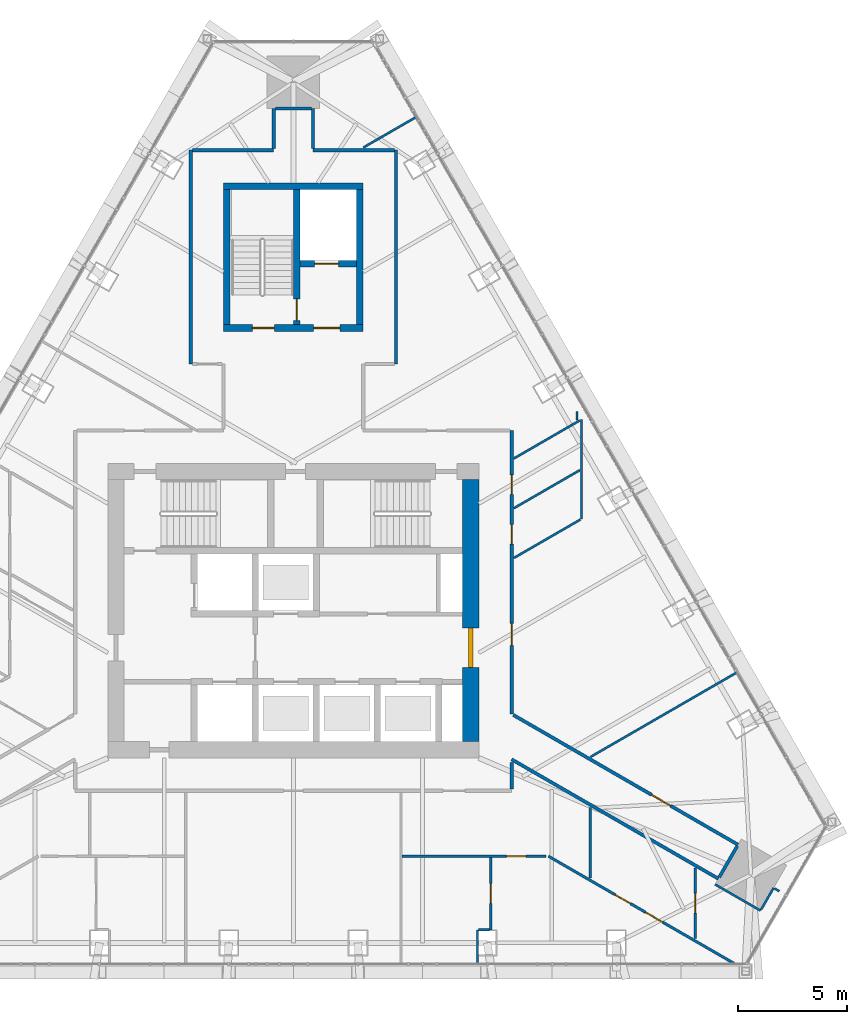
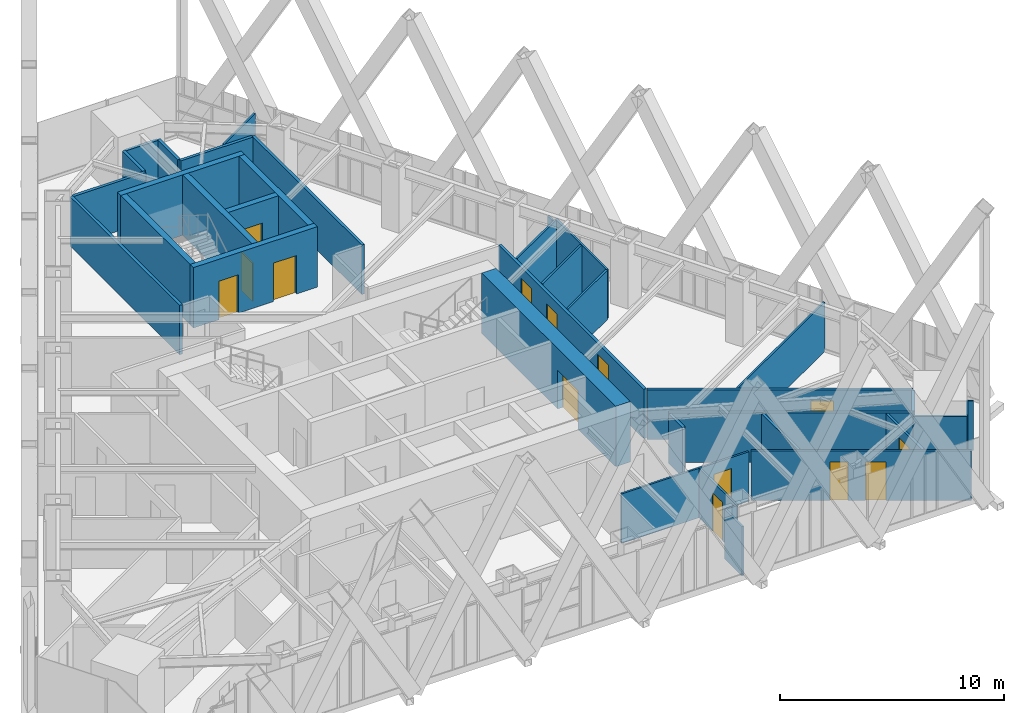
# One storey, part 20 of 23: 36 walls, 14 doors, 14 openings.
"""IFC4 building model written with IfcOpenShell, lengths in metres."""

from ifc_helpers import new_model, si_unit, direction, frame, frame_2d, origin, place, context, subcontext, project, spatial, rectangle, extrude, material, layer, layer_set, type_object, element, fill, save


model = new_model("IFC4")

# Units and contexts
model_context = context("Model", 3, precision=1e-05, world=origin(), true_north=direction((0.0, 1.0)))
body_context = subcontext(model_context, "Body", "Model", "MODEL_VIEW")
ifc_project = project(units=[si_unit("LENGTHUNIT", "METRE"), si_unit("AREAUNIT", "SQUARE_METRE"), si_unit("VOLUMEUNIT", "CUBIC_METRE"), si_unit("PLANEANGLEUNIT", "RADIAN"), si_unit("MASSUNIT", "GRAM", prefix="KILO")], contexts=[model_context])

# Site, building, storey
site_placement = place(None, origin())
site = spatial("IfcSite", under=ifc_project, at=site_placement, CompositionType="ELEMENT")
building_placement = place(site_placement, origin())
building = spatial("IfcBuilding", under=site, at=building_placement, Name="Firuza Gate Tower and Library", CompositionType="ELEMENT")
storey_placement = place(building_placement, frame((0.0, 0.0, 312.60009765625)))
storey = spatial("IfcBuildingStorey", under=building, at=storey_placement, Name="L76", CompositionType="ELEMENT", Elevation=312.60009765625)

# Wall, openings, doors
ifc_material_1 = material(Name="Concrete C60/75", Category="concrete")
ifc_layer_1 = layer(ifc_material_1, 0.300048828125)
ifc_layer_set_1 = layer_set([ifc_layer_1], Name="Core wall 300 C60/75")
wall_type_1 = type_object("IfcWallType", Name="Core wall 300 C60/75", PredefinedType="SHEAR", material=ifc_layer_set_1)
wall_1_placement = place(storey_placement, frame((71.800048828125, 87.949951171875, 0.0), z_axis=(0.0, 0.0, 1.0), x_axis=(1.0, 0.0, 0.0)))
wall_1 = element("IfcWall", 1, at=wall_1_placement, inside=storey, type_object=wall_type_1, Name="Core wall L76 18", PredefinedType="SHEAR", context=body_context, shape_type="SweptSolid", body=[
    extrude(rectangle(XDim=6.39990234375, YDim=0.300048828125, at=frame_2d((3.199951171875, 0.0))), origin(), (0.0, 0.0, 1.0), 3.2998046875),
])
opening_1_placement = place(wall_1_placement, frame((1.324951171875, 0.0, 0.0)))
opening_1 = element("IfcOpeningElement", 2, at=opening_1_placement, cuts=wall_1, Name="Opening L76-K11", PredefinedType="OPENING", context=body_context, shape_type="SweptSolid", body=[
    extrude(rectangle(XDim=1.0, YDim=2.10009765625, at=frame_2d((0.5, 1.050048828125))), frame((0.0, 0.16015625, 0.0), z_axis=(0.0, -1.0, 0.0), x_axis=(1.0, 0.0, 0.0)), (0.0, 0.0, 1.0), 0.320068359375),
])
opening_2_placement = place(wall_1_placement, frame((4.125, 0.0, 0.0)))
opening_2 = element("IfcOpeningElement", 3, at=opening_2_placement, cuts=wall_1, Name="Opening L76-K13", PredefinedType="OPENING", context=body_context, shape_type="SweptSolid", body=[
    extrude(rectangle(XDim=1.199951171875, YDim=2.10009765625, at=frame_2d((0.60009765625, 1.050048828125))), frame((0.0, 0.16015625, 0.0), z_axis=(0.0, -1.0, 0.0), x_axis=(1.0, 0.0, 0.0)), (0.0, 0.0, 1.0), 0.320068359375),
])
ifc_material_2 = material(Name="Steel", Category="steel")
door_type_1 = type_object("IfcDoorType", Name="Fire door 1000x2100 FD90", OperationType="NOTDEFINED", PredefinedType="DOOR", material=ifc_material_2)
door_1_placement = place(opening_1_placement, origin())
door_1 = element("IfcDoor", 4, at=door_1_placement, inside=storey, type_object=door_type_1, Name="Door L76-K11", OperationType="SINGLE_SWING_RIGHT", OverallHeight=2.10009765625, OverallWidth=1.0, PredefinedType="DOOR", context=body_context, shape_type="SweptSolid", body=[
    extrude(rectangle(XDim=1.0, YDim=2.10009765625, at=frame_2d((0.5, 1.050048828125))), frame((0.0, 0.02490234375, 0.0), z_axis=(0.0, -1.0, 0.0), x_axis=(1.0, 0.0, 0.0)), (0.0, 0.0, 1.0), 0.050048828125),
])
fill(opening_1, door_1)
ifc_material_3 = material(Name="Steel", Category="steel")
door_type_2 = type_object("IfcDoorType", Name="Fire door 1200x2100 FD30S", OperationType="NOTDEFINED", PredefinedType="DOOR", material=ifc_material_3)
door_2_placement = place(opening_2_placement, origin())
door_2 = element("IfcDoor", 5, at=door_2_placement, inside=storey, type_object=door_type_2, Name="Door L76-K13", OperationType="SINGLE_SWING_RIGHT", OverallHeight=2.10009765625, OverallWidth=1.199951171875, PredefinedType="DOOR", context=body_context, shape_type="SweptSolid", body=[
    extrude(rectangle(XDim=1.199951171875, YDim=2.10009765625, at=frame_2d((0.60009765625, 1.050048828125))), frame((0.0, 0.02490234375, 0.0), z_axis=(0.0, -1.0, 0.0), x_axis=(1.0, 0.0, 0.0)), (0.0, 0.0, 1.0), 0.050048828125),
])
fill(opening_2, door_2)

# Walls
wall_2_placement = place(storey_placement, frame((71.800048828125, 94.449951171875, 0.0), z_axis=(0.0, 0.0, 1.0), x_axis=(1.0, 0.0, 0.0)))
element("IfcWall", 6, at=wall_2_placement, inside=storey, type_object=wall_type_1, Name="Core wall L76 19", PredefinedType="SHEAR", context=body_context, shape_type="SweptSolid", body=[
    extrude(rectangle(XDim=6.39990234375, YDim=0.300048828125, at=frame_2d((3.199951171875, 0.0))), origin(), (0.0, 0.0, 1.0), 3.2998046875),
])
for number, where, z_axis, x_axis, name in (
    (7, (71.949951171875, 88.10009765625, 0.0), (0.0, 0.0, 1.0), (0.0, 1.0, 0.0), "Core wall L76 20"),
    (8, (78.050048828125, 88.10009765625, 0.0), (0.0, 0.0, 1.0), (0.0, 1.0, 0.0), "Core wall L76 21"),
):
    element("IfcWall", number, at=place(storey_placement, frame(where, z_axis=z_axis, x_axis=x_axis)), inside=storey, type_object=wall_type_1, Name=name, PredefinedType="SHEAR", context=body_context, shape_type="SweptSolid", body=[
        extrude(rectangle(XDim=6.199951171875, YDim=0.300048828125, at=frame_2d((3.10009765625, 0.0))), origin(), (0.0, 0.0, 1.0), 3.2998046875),
    ])

# Wall, opening, door
wall_3_placement = place(storey_placement, frame((75.300048828125, 90.89990234375, 0.0), z_axis=(0.0, 0.0, 1.0), x_axis=(1.0, 0.0, 0.0)))
wall_3 = element("IfcWall", 9, at=wall_3_placement, inside=storey, type_object=wall_type_1, Name="Core wall L76 22", PredefinedType="SHEAR", context=body_context, shape_type="SweptSolid", body=[
    extrude(rectangle(XDim=2.599853515625, YDim=0.300048828125, at=frame_2d((1.2998046875, 0.0))), origin(), (0.0, 0.0, 1.0), 3.2998046875),
])
opening_3_placement = place(wall_3_placement, frame((0.675048828125, 0.0, 0.0)))
opening_3 = element("IfcOpeningElement", 10, at=opening_3_placement, cuts=wall_3, Name="Opening LD-SV1-L76", PredefinedType="OPENING", context=body_context, shape_type="SweptSolid", body=[
    extrude(rectangle(XDim=1.10009765625, YDim=2.10009765625, at=frame_2d((0.550048828125, 1.050048828125))), frame((0.0, 0.16015625, 0.0), z_axis=(0.0, -1.0, 0.0), x_axis=(1.0, 0.0, 0.0)), (0.0, 0.0, 1.0), 0.320068359375),
])
ifc_material_4 = material(Name="Stainless steel", Category="steel")
door_type_3 = type_object("IfcDoorType", Name="Lift landing door 1100x2100", OperationType="DOUBLE_DOOR_SLIDING", PredefinedType="DOOR", material=ifc_material_4)
door_3_placement = place(opening_3_placement, origin())
door_3 = element("IfcDoor", 11, at=door_3_placement, inside=storey, type_object=door_type_3, Name="Landing door SV1 L76", OperationType="DOUBLE_DOOR_SLIDING", OverallHeight=2.10009765625, OverallWidth=1.10009765625, PredefinedType="DOOR", context=body_context, shape_type="SweptSolid", body=[
    extrude(rectangle(XDim=1.10009765625, YDim=2.10009765625, at=frame_2d((0.550048828125, 1.050048828125))), frame((0.0, 0.02490234375, 0.0), z_axis=(0.0, -1.0, 0.0), x_axis=(1.0, 0.0, 0.0)), (0.0, 0.0, 1.0), 0.050048828125),
])
fill(opening_3, door_3)

wall_4_placement = place(storey_placement, frame((75.14990234375, 88.10009765625, 0.0), z_axis=(0.0, 0.0, 1.0), x_axis=(0.0, 1.0, 0.0)))
wall_4 = element("IfcWall", 12, at=wall_4_placement, inside=storey, type_object=wall_type_1, Name="Core wall L76 23", PredefinedType="SHEAR", context=body_context, shape_type="SweptSolid", body=[
    extrude(rectangle(XDim=6.199951171875, YDim=0.300048828125, at=frame_2d((3.10009765625, 0.0))), origin(), (0.0, 0.0, 1.0), 3.2998046875),
])
opening_4_placement = place(wall_4_placement, frame((0.18505859375, 0.0, 0.0)))
opening_4 = element("IfcOpeningElement", 13, at=opening_4_placement, cuts=wall_4, Name="Opening L76-K12", PredefinedType="OPENING", context=body_context, shape_type="SweptSolid", body=[
    extrude(rectangle(XDim=1.0, YDim=2.10009765625, at=frame_2d((0.5, 1.050048828125))), frame((0.0, 0.16015625, 0.0), z_axis=(0.0, -1.0, 0.0), x_axis=(1.0, 0.0, 0.0)), (0.0, 0.0, 1.0), 0.320068359375),
])
door_4_placement = place(opening_4_placement, origin())
door_4 = element("IfcDoor", 14, at=door_4_placement, inside=storey, type_object=door_type_1, Name="Door L76-K12", OperationType="SINGLE_SWING_LEFT", OverallHeight=2.10009765625, OverallWidth=1.0, PredefinedType="DOOR", context=body_context, shape_type="SweptSolid", body=[
    extrude(rectangle(XDim=1.0, YDim=2.10009765625, at=frame_2d((0.5, 1.050048828125))), frame((0.0, 0.02490234375, 0.0), z_axis=(0.0, -1.0, 0.0), x_axis=(1.0, 0.0, 0.0)), (0.0, 0.0, 1.0), 0.050048828125),
])
fill(opening_4, door_4)

ifc_material_5 = material(Name="Concrete C60/75", Category="concrete")
ifc_layer_2 = layer(ifc_material_5, 0.75)
ifc_layer_set_2 = layer_set([ifc_layer_2], Name="Core wall 750 C60/75")
wall_type_2 = type_object("IfcWallType", Name="Core wall 750 C60/75", PredefinedType="SHEAR", material=ifc_layer_set_2)
wall_5_placement = place(storey_placement, frame((83.125, 69.0, 0.0), z_axis=(0.0, 0.0, 1.0), x_axis=(0.0, 1.0, 0.0)))
wall_5 = element("IfcWall", 15, at=wall_5_placement, inside=storey, type_object=wall_type_2, Name="Core wall L76 4", PredefinedType="SHEAR", context=body_context, shape_type="SweptSolid", body=[
    extrude(rectangle(XDim=12.0, YDim=0.75, at=frame_2d((6.0, 0.0))), origin(), (0.0, 0.0, 1.0), 3.2998046875),
])
opening_5_placement = place(wall_5_placement, frame((3.39990234375, 0.0, 0.0)))
opening_5 = element("IfcOpeningElement", 16, at=opening_5_placement, cuts=wall_5, Name="Opening L76-K16", PredefinedType="OPENING", context=body_context, shape_type="SweptSolid", body=[
    extrude(rectangle(XDim=1.800048828125, YDim=2.10009765625, at=frame_2d((0.89990234375, 1.050048828125))), frame((0.0, 0.385009765625, 0.0), z_axis=(0.0, -1.0, 0.0), x_axis=(1.0, 0.0, 0.0)), (0.0, 0.0, 1.0), 0.77001953125),
])
ifc_material_6 = material(Name="Steel", Category="steel")
door_type_4 = type_object("IfcDoorType", Name="Fire door 1800x2100 FD30S", OperationType="NOTDEFINED", PredefinedType="DOOR", material=ifc_material_6)
door_5_placement = place(opening_5_placement, origin())
door_5 = element("IfcDoor", 17, at=door_5_placement, inside=storey, type_object=door_type_4, Name="Door L76-K16", OperationType="SINGLE_SWING_LEFT", OverallHeight=2.10009765625, OverallWidth=1.800048828125, PredefinedType="DOOR", context=body_context, shape_type="SweptSolid", body=[
    extrude(rectangle(XDim=1.800048828125, YDim=2.10009765625, at=frame_2d((0.89990234375, 1.050048828125))), frame((0.0, 0.094970703125, 0.0), z_axis=(0.0, -1.0, 0.0), x_axis=(1.0, 0.0, 0.0)), (0.0, 0.0, 1.0), 0.18994140625),
])
fill(opening_5, door_5)

# Walls
ifc_material_7 = material(Name="Gypsum board partition")
ifc_layer_3 = layer(ifc_material_7, 0.14990234375)
ifc_layer_set_3 = layer_set([ifc_layer_3], Name="Corridor wall 150 double board on steel studs")
wall_type_3 = type_object("IfcWallType", Name="Corridor wall 150 double board on steel studs", PredefinedType="PARTITIONING", material=ifc_layer_set_3)
wall_6_placement = place(storey_placement, frame((70.37548828125, 96.10009765625, 0.0), z_axis=(0.0, 0.0, 1.0), x_axis=(1.0, 0.0, 0.0)))
element("IfcWall", 18, at=wall_6_placement, inside=storey, type_object=wall_type_3, Name="f:L76:w009", PredefinedType="PARTITIONING", context=body_context, shape_type="SweptSolid", body=[
    extrude(rectangle(XDim=3.724609375, YDim=0.14990234375, at=frame_2d((1.8623046875, 0.0))), origin(), (0.0, 0.0, 1.0), 2.699951171875),
])
wall_7_placement = place(storey_placement, frame((75.89990234375, 96.10009765625, 0.0), z_axis=(0.0, 0.0, 1.0), x_axis=(1.0, 0.0, 0.0)))
element("IfcWall", 19, at=wall_7_placement, inside=storey, type_object=wall_type_3, Name="f:L76:w010", PredefinedType="PARTITIONING", context=body_context, shape_type="SweptSolid", body=[
    extrude(rectangle(XDim=3.72314453125, YDim=0.14990234375, at=frame_2d((1.861572265625, 0.0))), origin(), (0.0, 0.0, 1.0), 2.699951171875),
])
wall_8_placement = place(storey_placement, frame((74.175537109375, 98.00390625, 0.0), z_axis=(0.0, 0.0, 1.0), x_axis=(1.0, 0.0, 0.0)))
element("IfcWall", 20, at=wall_8_placement, inside=storey, type_object=wall_type_3, Name="f:L76:w011", PredefinedType="PARTITIONING", context=body_context, shape_type="SweptSolid", body=[
    extrude(rectangle(XDim=1.64892578125, YDim=0.14990234375, at=frame_2d((0.824462890625, 0.0))), origin(), (0.0, 0.0, 1.0), 2.697021484375),
])
wall_9_placement = place(storey_placement, frame((94.512451171875, 62.788330078125, 0.0), z_axis=(0.0, 0.0, 1.0), x_axis=(0.500052415518, 0.865995139556, 0.0)))
element("IfcWall", 21, at=wall_9_placement, inside=storey, type_object=wall_type_3, Name="f:L76:w023", PredefinedType="PARTITIONING", context=body_context, shape_type="SweptSolid", body=[
    extrude(rectangle(XDim=1.643798828125, YDim=0.14990234375, at=frame_2d((0.82177734375, 0.0))), origin(), (0.0, 0.0, 1.0), 2.697021484375),
])
wall_10_placement = place(storey_placement, frame((85.0, 66.824951171875, 0.0), z_axis=(0.0, 0.0, 1.0), x_axis=(0.0, 1.0, 0.0)))
element("IfcWall", 22, at=wall_10_placement, inside=storey, type_object=wall_type_3, Name="f:L76:w030", PredefinedType="PARTITIONING", context=body_context, shape_type="SweptSolid", body=[
    extrude(rectangle(XDim=1.225830078125, YDim=0.14990234375, at=frame_2d((0.61279296875, 0.0))), origin(), (0.0, 0.0, 1.0), 2.697021484375),
])

# Wall, openings, doors
wall_11_placement = place(storey_placement, frame((85.0, 83.248046875, 0.0), z_axis=(0.0, 0.0, 1.0), x_axis=(0.0, -1.0, 0.0)))
wall_11 = element("IfcWall", 23, at=wall_11_placement, inside=storey, type_object=wall_type_3, Name="f:L76:w031", PredefinedType="PARTITIONING", context=body_context, shape_type="SweptSolid", body=[
    extrude(rectangle(XDim=12.982421875, YDim=0.14990234375, at=frame_2d((6.4912109375, 0.0))), origin(), (0.0, 0.0, 1.0), 2.699951171875),
])
opening_6_placement = place(wall_11_placement, frame((2.024169921875, 0.0, 0.0)))
opening_6 = element("IfcOpeningElement", 24, at=opening_6_placement, cuts=wall_11, Name="Opening L76-15", PredefinedType="OPENING", context=body_context, shape_type="SweptSolid", body=[
    extrude(rectangle(XDim=0.89990234375, YDim=2.10009765625, at=frame_2d((0.449951171875, 1.050048828125))), frame((0.0, 0.0849609375, 0.0), z_axis=(0.0, -1.0, 0.0), x_axis=(1.0, 0.0, 0.0)), (0.0, 0.0, 1.0), 0.169921875),
])
opening_7_placement = place(wall_11_placement, frame((4.302734375, 0.0, 0.0)))
opening_7 = element("IfcOpeningElement", 25, at=opening_7_placement, cuts=wall_11, Name="Opening L76-16", PredefinedType="OPENING", context=body_context, shape_type="SweptSolid", body=[
    extrude(rectangle(XDim=0.89990234375, YDim=2.10009765625, at=frame_2d((0.449951171875, 1.050048828125))), frame((0.0, 0.0849609375, 0.0), z_axis=(0.0, -1.0, 0.0), x_axis=(1.0, 0.0, 0.0)), (0.0, 0.0, 1.0), 0.169921875),
])
opening_8_placement = place(wall_11_placement, frame((8.835693359375, 0.0, 0.0)))
opening_8 = element("IfcOpeningElement", 26, at=opening_8_placement, cuts=wall_11, Name="Opening L76-17", PredefinedType="OPENING", context=body_context, shape_type="SweptSolid", body=[
    extrude(rectangle(XDim=1.0, YDim=2.10009765625, at=frame_2d((0.5, 1.050048828125))), frame((0.0, 0.0849609375, 0.0), z_axis=(0.0, -1.0, 0.0), x_axis=(1.0, 0.0, 0.0)), (0.0, 0.0, 1.0), 0.169921875),
])
ifc_material_8 = material(Name="Steel door and timber leaf", Category="steel")
door_type_5 = type_object("IfcDoorType", Name="Fire door 1000 x 2100 steel frame, timber leaf", OperationType="NOTDEFINED", PredefinedType="DOOR", material=ifc_material_8)
door_6_placement = place(opening_8_placement, origin())
door_6 = element("IfcDoor", 27, at=door_6_placement, inside=storey, type_object=door_type_5, Name="f:L76:d017", OperationType="SINGLE_SWING_RIGHT", OverallHeight=2.10009765625, OverallWidth=1.0, PredefinedType="DOOR", context=body_context, shape_type="SweptSolid", body=[
    extrude(rectangle(XDim=1.0, YDim=2.10009765625, at=frame_2d((0.5, 1.050048828125))), frame((0.0, 0.02490234375, 0.0), z_axis=(0.0, -1.0, 0.0), x_axis=(1.0, 0.0, 0.0)), (0.0, 0.0, 1.0), 0.050048828125),
])
fill(opening_8, door_6)
ifc_material_9 = material(Name="Steel door and timber leaf", Category="steel")
door_type_6 = type_object("IfcDoorType", Name="Fire door 900 x 2100 steel frame, timber leaf", OperationType="NOTDEFINED", PredefinedType="DOOR", material=ifc_material_9)
door_7_placement = place(opening_6_placement, origin())
door_7 = element("IfcDoor", 28, at=door_7_placement, inside=storey, type_object=door_type_6, Name="f:L76:d015", OperationType="SINGLE_SWING_RIGHT", OverallHeight=2.10009765625, OverallWidth=0.89990234375, PredefinedType="DOOR", context=body_context, shape_type="SweptSolid", body=[
    extrude(rectangle(XDim=0.89990234375, YDim=2.10009765625, at=frame_2d((0.449951171875, 1.050048828125))), frame((0.0, 0.02490234375, 0.0), z_axis=(0.0, -1.0, 0.0), x_axis=(1.0, 0.0, 0.0)), (0.0, 0.0, 1.0), 0.050048828125),
])
fill(opening_6, door_7)
door_8_placement = place(opening_7_placement, origin())
door_8 = element("IfcDoor", 29, at=door_8_placement, inside=storey, type_object=door_type_6, Name="f:L76:d016", OperationType="SINGLE_SWING_LEFT", OverallHeight=2.10009765625, OverallWidth=0.89990234375, PredefinedType="DOOR", context=body_context, shape_type="SweptSolid", body=[
    extrude(rectangle(XDim=0.89990234375, YDim=2.10009765625, at=frame_2d((0.449951171875, 1.050048828125))), frame((0.0, 0.02490234375, 0.0), z_axis=(0.0, -1.0, 0.0), x_axis=(1.0, 0.0, 0.0)), (0.0, 0.0, 1.0), 0.050048828125),
])
fill(opening_7, door_8)

# Walls
wall_12_placement = place(storey_placement, frame((79.699951171875, 86.302001953125, 0.0), z_axis=(0.0, 0.0, 1.0), x_axis=(0.0, 1.0, 0.0)))
element("IfcWall", 30, at=wall_12_placement, inside=storey, type_object=wall_type_3, Name="f:L76:w035", PredefinedType="PARTITIONING", context=body_context, shape_type="SweptSolid", body=[
    extrude(rectangle(XDim=9.7958984375, YDim=0.14990234375, at=frame_2d((4.89794921875, 0.0))), origin(), (0.0, 0.0, 1.0), 2.699951171875),
])
for number, where, z_axis, x_axis, name in (
    (31, (75.89990234375, 96.175048828125, 0.0), (0.0, 0.0, 1.0), (0.0, 1.0, 0.0), "f:L76:w037"),
    (32, (74.10009765625, 96.175048828125, 0.0), (0.0, 0.0, 1.0), (0.0, 1.0, 0.0), "f:L76:w038"),
):
    element("IfcWall", number, at=place(storey_placement, frame(where, z_axis=z_axis, x_axis=x_axis)), inside=storey, type_object=wall_type_3, Name=name, PredefinedType="PARTITIONING", context=body_context, shape_type="SweptSolid", body=[
        extrude(rectangle(XDim=1.828369140625, YDim=0.14990234375, at=frame_2d((0.9140625, 0.0))), origin(), (0.0, 0.0, 1.0), 2.699951171875),
    ])
wall_13_placement = place(storey_placement, frame((70.300048828125, 86.300537109375, 0.0), z_axis=(0.0, 0.0, 1.0), x_axis=(0.0, 1.0, 0.0)))
element("IfcWall", 33, at=wall_13_placement, inside=storey, type_object=wall_type_3, Name="f:L76:w040", PredefinedType="PARTITIONING", context=body_context, shape_type="SweptSolid", body=[
    extrude(rectangle(XDim=9.798828125, YDim=0.14990234375, at=frame_2d((4.8994140625, 0.0))), origin(), (0.0, 0.0, 1.0), 2.699951171875),
])

# Wall, opening, door
wall_14_placement = place(storey_placement, frame((85.074951171875, 70.222412109375, 0.0), z_axis=(0.0, 0.0, 1.0), x_axis=(0.866032051089, -0.499988486354, 0.0)))
wall_14 = element("IfcWall", 34, at=wall_14_placement, inside=storey, type_object=wall_type_3, Name="f:L76:w052", PredefinedType="PARTITIONING", context=body_context, shape_type="SweptSolid", body=[
    extrude(rectangle(XDim=11.889404296875, YDim=0.14990234375, at=frame_2d((5.94482421875, 0.0))), origin(), (0.0, 0.0, 1.0), 2.699951171875),
])
opening_9_placement = place(wall_14_placement, frame((7.326416015625, 0.0, 0.0)))
opening_9 = element("IfcOpeningElement", 35, at=opening_9_placement, cuts=wall_14, Name="Opening L76-22", PredefinedType="OPENING", context=body_context, shape_type="SweptSolid", body=[
    extrude(rectangle(XDim=1.0, YDim=2.10009765625, at=frame_2d((0.5, 1.050048828125))), frame((0.0, 0.0849609375, 0.0), z_axis=(0.0, -1.0, 0.0), x_axis=(1.0, 0.0, 0.0)), (0.0, 0.0, 1.0), 0.169921875),
])
door_9_placement = place(opening_9_placement, origin())
door_9 = element("IfcDoor", 36, at=door_9_placement, inside=storey, type_object=door_type_5, Name="f:L76:d022", OperationType="SINGLE_SWING_LEFT", OverallHeight=2.10009765625, OverallWidth=1.0, PredefinedType="DOOR", context=body_context, shape_type="SweptSolid", body=[
    extrude(rectangle(XDim=1.0, YDim=2.10009765625, at=frame_2d((0.5, 1.050048828125))), frame((0.0, 0.02490234375, 0.0), z_axis=(0.0, -1.0, 0.0), x_axis=(1.0, 0.0, 0.0)), (0.0, 0.0, 1.0), 0.050048828125),
])
fill(opening_9, door_9)

# Walls
wall_15_placement = place(storey_placement, frame((94.471923828125, 62.71875, 0.0), z_axis=(0.0, 0.0, 1.0), x_axis=(-0.866029834468, 0.499992325753, 0.0)))
element("IfcWall", 37, at=wall_15_placement, inside=storey, type_object=wall_type_3, Name="f:L76:w054", PredefinedType="PARTITIONING", context=body_context, shape_type="SweptSolid", body=[
    extrude(rectangle(XDim=10.937255859375, YDim=0.14990234375, at=frame_2d((5.46875, 0.0))), origin(), (0.0, 0.0, 1.0), 2.697021484375),
])
ifc_material_10 = material(Name="Gypsum board partition")
ifc_layer_4 = layer(ifc_material_10, 0.10009765625)
ifc_layer_set_4 = layer_set([ifc_layer_4], Name="Partition 100 gypsum board on steel studs")
wall_type_4 = type_object("IfcWallType", Name="Partition 100 gypsum board on steel studs", PredefinedType="PARTITIONING", material=ifc_layer_set_4)
wall_16_placement = place(storey_placement, frame((83.48046875, 60.3798828125, 0.0), z_axis=(0.0, 0.0, 1.0), x_axis=(1.0, 0.0, 0.0)))
element("IfcWall", 38, at=wall_16_placement, inside=storey, type_object=wall_type_4, Name="f:L76:w001", PredefinedType="PARTITIONING", context=body_context, shape_type="SweptSolid", body=[
    extrude(rectangle(XDim=0.509033203125, YDim=0.10009765625, at=frame_2d((0.25439453125, 0.0))), origin(), (0.0, 0.0, 1.0), 2.699951171875),
])

# Wall, opening, door
wall_17_placement = place(storey_placement, frame((86.565673828125, 63.75, 0.0), z_axis=(0.0, 0.0, 1.0), x_axis=(-1.0, 0.0, 0.0)))
wall_17 = element("IfcWall", 39, at=wall_17_placement, inside=storey, type_object=wall_type_4, Name="f:L76:w003", PredefinedType="PARTITIONING", context=body_context, shape_type="SweptSolid", body=[
    extrude(rectangle(XDim=6.582275390625, YDim=0.10009765625, at=frame_2d((3.291015625, 0.0))), origin(), (0.0, 0.0, 1.0), 2.699951171875),
])
opening_10_placement = place(wall_17_placement, frame((0.91259765625, 0.0, 0.0)))
opening_10 = element("IfcOpeningElement", 40, at=opening_10_placement, cuts=wall_17, Name="Opening L76-03", PredefinedType="OPENING", context=body_context, shape_type="SweptSolid", body=[
    extrude(rectangle(XDim=0.89990234375, YDim=2.10009765625, at=frame_2d((0.449951171875, 1.050048828125))), frame((0.0, 0.06005859375, 0.0), z_axis=(0.0, -1.0, 0.0), x_axis=(1.0, 0.0, 0.0)), (0.0, 0.0, 1.0), 0.1201171875),
])
ifc_material_11 = material(Name="Timber door", Category="wood")
door_type_7 = type_object("IfcDoorType", Name="Door 900 x 2100 timber leaf", OperationType="NOTDEFINED", PredefinedType="DOOR", material=ifc_material_11)
door_10_placement = place(opening_10_placement, origin())
door_10 = element("IfcDoor", 41, at=door_10_placement, inside=storey, type_object=door_type_7, Name="f:L76:d003", OperationType="SINGLE_SWING_RIGHT", OverallHeight=2.10009765625, OverallWidth=0.89990234375, PredefinedType="DOOR", context=body_context, shape_type="SweptSolid", body=[
    extrude(rectangle(XDim=0.89990234375, YDim=2.10009765625, at=frame_2d((0.449951171875, 1.050048828125))), frame((0.0, 0.02490234375, 0.0), z_axis=(0.0, -1.0, 0.0), x_axis=(1.0, 0.0, 0.0)), (0.0, 0.0, 1.0), 0.050048828125),
])
fill(opening_10, door_10)

# Walls
wall_18_placement = place(storey_placement, frame((88.611083984375, 68.297607421875, 0.0), z_axis=(0.0, 0.0, 1.0), x_axis=(0.866026493871, 0.499998111909, 0.0)))
element("IfcWall", 42, at=wall_18_placement, inside=storey, type_object=wall_type_4, Name="f:L76:w012", PredefinedType="PARTITIONING", context=body_context, shape_type="SweptSolid", body=[
    extrude(rectangle(XDim=7.7431640625, YDim=0.10009765625, at=frame_2d((3.87158203125, 0.0))), origin(), (0.0, 0.0, 1.0), 2.68798828125),
])
wall_19_placement = place(storey_placement, frame((85.100830078125, 77.4140625, 0.0), z_axis=(0.0, 0.0, 1.0), x_axis=(0.866041242935, 0.499972564782, 0.0)))
element("IfcWall", 43, at=wall_19_placement, inside=storey, type_object=wall_type_4, Name="f:L76:w014", PredefinedType="PARTITIONING", context=body_context, shape_type="SweptSolid", body=[
    extrude(rectangle(XDim=3.520751953125, YDim=0.10009765625, at=frame_2d((1.76025390625, 0.0))), origin(), (0.0, 0.0, 1.0), 2.699951171875),
])
wall_20_placement = place(storey_placement, frame((85.10107421875, 79.6923828125, 0.0), z_axis=(0.0, 0.0, 1.0), x_axis=(0.866017863565, 0.500013059815, 0.0)))
element("IfcWall", 44, at=wall_20_placement, inside=storey, type_object=wall_type_4, Name="f:L76:w015", PredefinedType="PARTITIONING", context=body_context, shape_type="SweptSolid", body=[
    extrude(rectangle(XDim=3.49072265625, YDim=0.10009765625, at=frame_2d((1.745361328125, 0.0))), origin(), (0.0, 0.0, 1.0), 2.699951171875),
])
wall_21_placement = place(storey_placement, frame((85.100830078125, 81.971435546875, 0.0), z_axis=(0.0, 0.0, 1.0), x_axis=(0.866017863565, 0.500013059815, 0.0)))
element("IfcWall", 45, at=wall_21_placement, inside=storey, type_object=wall_type_4, Name="f:L76:w018", PredefinedType="PARTITIONING", context=body_context, shape_type="SweptSolid", body=[
    extrude(rectangle(XDim=3.49072265625, YDim=0.10009765625, at=frame_2d((1.745361328125, 0.0))), origin(), (0.0, 0.0, 1.0), 2.68798828125),
])
wall_22_placement = place(storey_placement, frame((78.20751953125, 96.2197265625, 0.0), z_axis=(0.0, 0.0, 1.0), x_axis=(0.866028321769, 0.499994945868, 0.0)))
element("IfcWall", 46, at=wall_22_placement, inside=storey, type_object=wall_type_4, Name="f:L76:w021", PredefinedType="PARTITIONING", context=body_context, shape_type="SweptSolid", body=[
    extrude(rectangle(XDim=2.7919921875, YDim=0.10009765625, at=frame_2d((1.39599609375, 0.0))), origin(), (0.0, 0.0, 1.0), 2.699951171875),
])
wall_23_placement = place(storey_placement, frame((96.42578125, 61.302490234375, 0.0), z_axis=(0.0, 0.0, 1.0), x_axis=(0.499955427682, 0.866051136095, 0.0)))
element("IfcWall", 47, at=wall_23_placement, inside=storey, type_object=wall_type_4, Name="f:L76:w022", PredefinedType="PARTITIONING", context=body_context, shape_type="SweptSolid", body=[
    extrude(rectangle(XDim=1.14892578125, YDim=0.10009765625, at=frame_2d((0.574462890625, 0.0))), origin(), (0.0, 0.0, 1.0), 2.699951171875),
])
wall_24_placement = place(storey_placement, frame((88.199951171875, 79.203125, 0.0), z_axis=(0.0, 0.0, 1.0), x_axis=(0.0, 1.0, 0.0)))
element("IfcWall", 48, at=wall_24_placement, inside=storey, type_object=wall_type_4, Name="f:L76:w028", PredefinedType="PARTITIONING", context=body_context, shape_type="SweptSolid", body=[
    extrude(rectangle(XDim=4.55712890625, YDim=0.10009765625, at=frame_2d((2.278564453125, 0.0))), origin(), (0.0, 0.0, 1.0), 2.68798828125),
])
wall_25_placement = place(storey_placement, frame((88.0, 83.732666015625, 0.0), z_axis=(0.0, 0.0, 1.0), x_axis=(0.0, 1.0, 0.0)))
element("IfcWall", 49, at=wall_25_placement, inside=storey, type_object=wall_type_4, Name="f:L76:w029", PredefinedType="PARTITIONING", context=body_context, shape_type="SweptSolid", body=[
    extrude(rectangle(XDim=0.389892578125, YDim=0.10009765625, at=frame_2d((0.19482421875, 0.0))), origin(), (0.0, 0.0, 1.0), 2.699951171875),
])

# Wall, opening, door
wall_26_placement = place(storey_placement, frame((84.0400390625, 60.380859375, 0.0), z_axis=(0.0, 0.0, 1.0), x_axis=(0.0, 1.0, 0.0)))
wall_26 = element("IfcWall", 50, at=wall_26_placement, inside=storey, type_object=wall_type_4, Name="f:L76:w032", PredefinedType="PARTITIONING", context=body_context, shape_type="SweptSolid", body=[
    extrude(rectangle(XDim=3.319091796875, YDim=0.10009765625, at=frame_2d((1.65966796875, 0.0))), origin(), (0.0, 0.0, 1.0), 2.699951171875),
])
opening_11_placement = place(wall_26_placement, frame((1.20947265625, 0.0, 0.0)))
opening_11 = element("IfcOpeningElement", 51, at=opening_11_placement, cuts=wall_26, Name="Opening L76-18", PredefinedType="OPENING", context=body_context, shape_type="SweptSolid", body=[
    extrude(rectangle(XDim=0.89990234375, YDim=2.10009765625, at=frame_2d((0.449951171875, 1.050048828125))), frame((0.0, 0.06005859375, 0.0), z_axis=(0.0, -1.0, 0.0), x_axis=(1.0, 0.0, 0.0)), (0.0, 0.0, 1.0), 0.1201171875),
])
door_11_placement = place(opening_11_placement, origin())
door_11 = element("IfcDoor", 52, at=door_11_placement, inside=storey, type_object=door_type_7, Name="f:L76:d018", OperationType="SINGLE_SWING_LEFT", OverallHeight=2.10009765625, OverallWidth=0.89990234375, PredefinedType="DOOR", context=body_context, shape_type="SweptSolid", body=[
    extrude(rectangle(XDim=0.89990234375, YDim=2.10009765625, at=frame_2d((0.449951171875, 1.050048828125))), frame((0.0, 0.02490234375, 0.0), z_axis=(0.0, -1.0, 0.0), x_axis=(1.0, 0.0, 0.0)), (0.0, 0.0, 1.0), 0.050048828125),
])
fill(opening_11, door_11)

# Walls
wall_27_placement = place(storey_placement, frame((83.429931640625, 58.8203125, 0.0), z_axis=(0.0, 0.0, 1.0), x_axis=(0.0, 1.0, 0.0)))
element("IfcWall", 53, at=wall_27_placement, inside=storey, type_object=wall_type_4, Name="f:L76:w033", PredefinedType="PARTITIONING", context=body_context, shape_type="SweptSolid", body=[
    extrude(rectangle(XDim=1.5595703125, YDim=0.10009765625, at=frame_2d((0.77978515625, 0.0))), origin(), (0.0, 0.0, 1.0), 2.68798828125),
])
wall_28_placement = place(storey_placement, frame((97.26025390625, 62.148193359375, 0.0), z_axis=(0.0, 0.0, 1.0), x_axis=(-0.866006330792, 0.500033033937, 0.0)))
element("IfcWall", 54, at=wall_28_placement, inside=storey, type_object=wall_type_4, Name="f:L76:w053", PredefinedType="PARTITIONING", context=body_context, shape_type="SweptSolid", body=[
    extrude(rectangle(XDim=0.24951171875, YDim=0.10009765625, at=frame_2d((0.124755859375, 0.0))), origin(), (0.0, 0.0, 1.0), 2.699951171875),
])
wall_29_placement = place(storey_placement, frame((96.39990234375, 61.25927734375, 0.0), z_axis=(0.0, 0.0, 1.0), x_axis=(-0.866011011868, 0.500024926702, 0.0)))
element("IfcWall", 55, at=wall_29_placement, inside=storey, type_object=wall_type_4, Name="f:L76:w056", PredefinedType="PARTITIONING", context=body_context, shape_type="SweptSolid", body=[
    extrude(rectangle(XDim=2.39892578125, YDim=0.10009765625, at=frame_2d((1.199462890625, 0.0))), origin(), (0.0, 0.0, 1.0), 2.699951171875),
])

# Wall, opening, door
ifc_material_12 = material(Name="Gypsum board partition")
ifc_layer_5 = layer(ifc_material_12, 0.1201171875)
ifc_layer_set_5 = layer_set([ifc_layer_5], Name="Wet-area partition 120 moisture-resistant board")
wall_type_5 = type_object("IfcWallType", Name="Wet-area partition 120 moisture-resistant board", PredefinedType="PARTITIONING", material=ifc_layer_set_5)
wall_30_placement = place(storey_placement, frame((93.407958984375, 59.978271484375, 0.0), z_axis=(0.0, 0.0, 1.0), x_axis=(0.0, 1.0, 0.0)))
wall_30 = element("IfcWall", 56, at=wall_30_placement, inside=storey, type_object=wall_type_5, Name="f:L76:w026", PredefinedType="PARTITIONING", context=body_context, shape_type="SweptSolid", body=[
    extrude(rectangle(XDim=3.22802734375, YDim=0.1201171875, at=frame_2d((1.614013671875, 0.0))), origin(), (0.0, 0.0, 1.0), 2.699951171875),
])
opening_12_placement = place(wall_30_placement, frame((1.1640625, 0.0, 0.0)))
opening_12 = element("IfcOpeningElement", 57, at=opening_12_placement, cuts=wall_30, Name="Opening L76-14", PredefinedType="OPENING", context=body_context, shape_type="SweptSolid", body=[
    extrude(rectangle(XDim=0.89990234375, YDim=2.10009765625, at=frame_2d((0.449951171875, 1.050048828125))), frame((0.0, 0.070068359375, 0.0), z_axis=(0.0, -1.0, 0.0), x_axis=(1.0, 0.0, 0.0)), (0.0, 0.0, 1.0), 0.14013671875),
])
door_12_placement = place(opening_12_placement, origin())
door_12 = element("IfcDoor", 58, at=door_12_placement, inside=storey, type_object=door_type_7, Name="f:L76:d014", OperationType="SINGLE_SWING_LEFT", OverallHeight=2.10009765625, OverallWidth=0.89990234375, PredefinedType="DOOR", context=body_context, shape_type="SweptSolid", body=[
    extrude(rectangle(XDim=0.89990234375, YDim=2.10009765625, at=frame_2d((0.449951171875, 1.050048828125))), frame((0.0, 0.02490234375, 0.0), z_axis=(0.0, -1.0, 0.0), x_axis=(1.0, 0.0, 0.0)), (0.0, 0.0, 1.0), 0.050048828125),
])
fill(opening_12, door_12)

# Wall
wall_31_placement = place(storey_placement, frame((88.596923828125, 62.755859375, 0.0), z_axis=(0.0, 0.0, 1.0), x_axis=(0.0, 1.0, 0.0)))
element("IfcWall", 59, at=wall_31_placement, inside=storey, type_object=wall_type_5, Name="f:L76:w027", PredefinedType="PARTITIONING", context=body_context, shape_type="SweptSolid", body=[
    extrude(rectangle(XDim=3.228271484375, YDim=0.1201171875, at=frame_2d((1.6142578125, 0.0))), origin(), (0.0, 0.0, 1.0), 2.697021484375),
])

# Wall, openings, doors
wall_32_placement = place(storey_placement, frame((86.685546875, 63.75, 0.0), z_axis=(0.0, 0.0, 1.0), x_axis=(0.866028066272, -0.499995388408, 0.0)))
wall_32 = element("IfcWall", 60, at=wall_32_placement, inside=storey, type_object=wall_type_5, Name="f:L76:w057", PredefinedType="PARTITIONING", context=body_context, shape_type="SweptSolid", body=[
    extrude(rectangle(XDim=9.859375, YDim=0.1201171875, at=frame_2d((4.9296875, 0.0))), origin(), (0.0, 0.0, 1.0), 2.699951171875),
])
opening_13_placement = place(wall_32_placement, frame((3.534423828125, 0.0, 0.0)))
opening_13 = element("IfcOpeningElement", 61, at=opening_13_placement, cuts=wall_32, Name="Opening L76-23", PredefinedType="OPENING", context=body_context, shape_type="SweptSolid", body=[
    extrude(rectangle(XDim=0.800048828125, YDim=2.10009765625, at=frame_2d((0.39990234375, 1.050048828125))), frame((0.0, 0.070068359375, 0.0), z_axis=(0.0, -1.0, 0.0), x_axis=(1.0, 0.0, 0.0)), (0.0, 0.0, 1.0), 0.14013671875),
])
opening_14_placement = place(wall_32_placement, frame((5.134521484375, 0.0, 0.0)))
opening_14 = element("IfcOpeningElement", 62, at=opening_14_placement, cuts=wall_32, Name="Opening L76-24", PredefinedType="OPENING", context=body_context, shape_type="SweptSolid", body=[
    extrude(rectangle(XDim=0.89990234375, YDim=2.10009765625, at=frame_2d((0.449951171875, 1.050048828125))), frame((0.0, 0.070068359375, 0.0), z_axis=(0.0, -1.0, 0.0), x_axis=(1.0, 0.0, 0.0)), (0.0, 0.0, 1.0), 0.14013671875),
])
ifc_material_13 = material(Name="Timber door", Category="wood")
door_type_8 = type_object("IfcDoorType", Name="Door 800 x 2100 timber leaf", OperationType="NOTDEFINED", PredefinedType="DOOR", material=ifc_material_13)
door_13_placement = place(opening_13_placement, origin())
door_13 = element("IfcDoor", 63, at=door_13_placement, inside=storey, type_object=door_type_8, Name="f:L76:d023", OperationType="SINGLE_SWING_RIGHT", OverallHeight=2.10009765625, OverallWidth=0.800048828125, PredefinedType="DOOR", context=body_context, shape_type="SweptSolid", body=[
    extrude(rectangle(XDim=0.800048828125, YDim=2.10009765625, at=frame_2d((0.39990234375, 1.050048828125))), frame((0.0, 0.02490234375, 0.0), z_axis=(0.0, -1.0, 0.0), x_axis=(1.0, 0.0, 0.0)), (0.0, 0.0, 1.0), 0.050048828125),
])
fill(opening_13, door_13)
door_14_placement = place(opening_14_placement, origin())
door_14 = element("IfcDoor", 64, at=door_14_placement, inside=storey, type_object=door_type_7, Name="f:L76:d024", OperationType="SINGLE_SWING_LEFT", OverallHeight=2.10009765625, OverallWidth=0.89990234375, PredefinedType="DOOR", context=body_context, shape_type="SweptSolid", body=[
    extrude(rectangle(XDim=0.89990234375, YDim=2.10009765625, at=frame_2d((0.449951171875, 1.050048828125))), frame((0.0, 0.02490234375, 0.0), z_axis=(0.0, -1.0, 0.0), x_axis=(1.0, 0.0, 0.0)), (0.0, 0.0, 1.0), 0.050048828125),
])
fill(opening_14, door_14)

save(model, "model.ifc")
